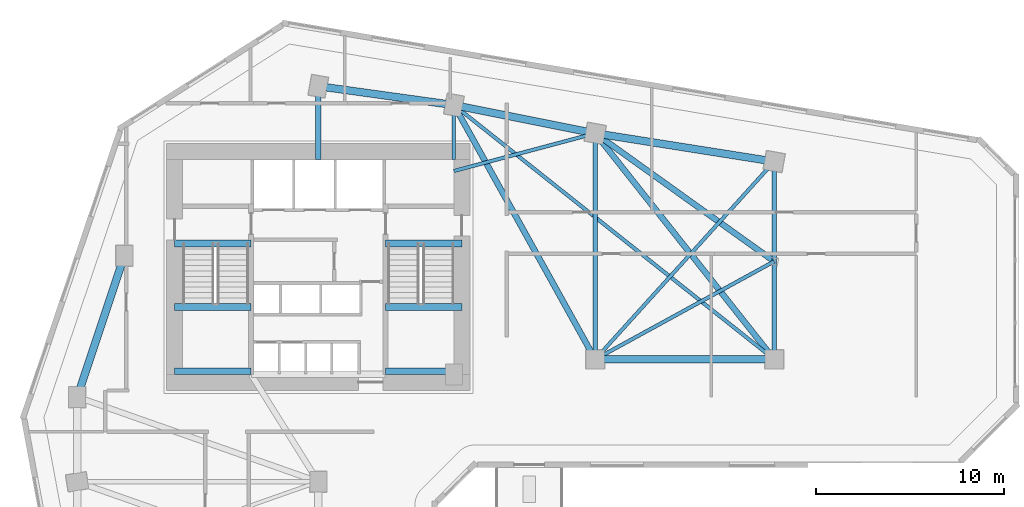
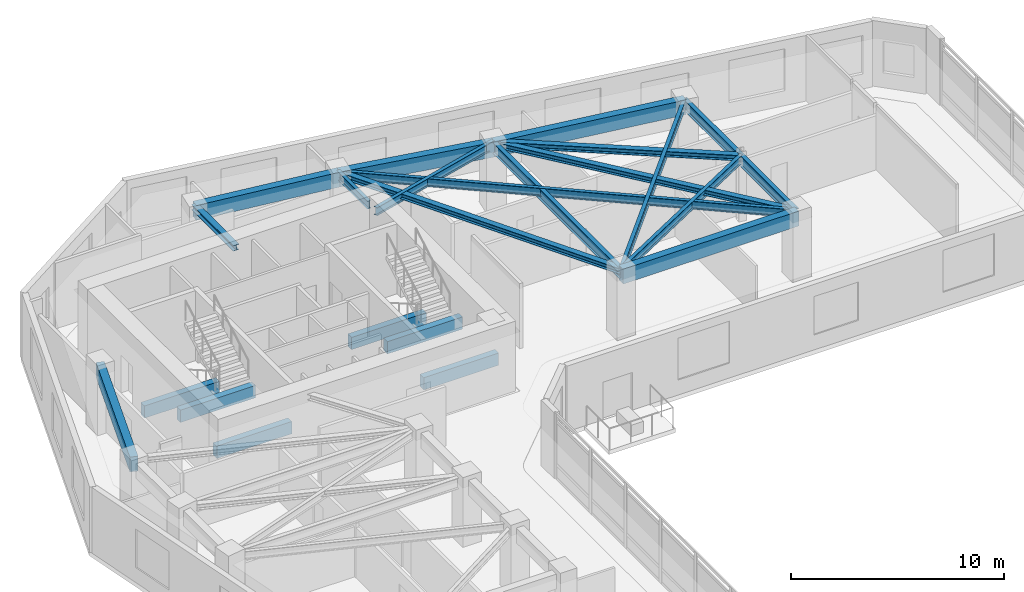
# One storey, part 4 of 11: 22 beams.
"""IFC4 building model written with IfcOpenShell, lengths in metres."""

from ifc_helpers import new_model, si_unit, direction, frame, origin, origin_2d, place, context, subcontext, project, spatial, rectangle, i_section, extrude, source, transform, mapped, material, material_profile, profile_set, type_object, element, save


model = new_model("IFC4")

# Units and contexts
model_context = context("Model", 3, precision=1e-05, world=origin(), true_north=direction((0.0, 1.0)))
body_context = subcontext(model_context, "Body", "Model", "MODEL_VIEW")
ifc_project = project(units=[si_unit("LENGTHUNIT", "METRE"), si_unit("AREAUNIT", "SQUARE_METRE"), si_unit("VOLUMEUNIT", "CUBIC_METRE"), si_unit("PLANEANGLEUNIT", "RADIAN"), si_unit("MASSUNIT", "GRAM", prefix="KILO")], contexts=[model_context])

# Site, building, storey
site_placement = place(None, origin())
site = spatial("IfcSite", under=ifc_project, at=site_placement, CompositionType="ELEMENT")
building_placement = place(site_placement, origin())
building = spatial("IfcBuilding", under=site, at=building_placement, Name="Calvemar Wedge Station Tower", CompositionType="ELEMENT")
storey_placement = place(building_placement, frame((0.0, 0.0, 43.0)))
storey = spatial("IfcBuildingStorey", under=building, at=storey_placement, Name="L10", CompositionType="ELEMENT", Elevation=43.0)

# Beams
ifc_material_1 = material(Name="Concrete C70", Category="concrete")
ifc_material_profile_1 = material_profile(ifc_material_1, rectangle(XDim=0.35009765625, YDim=0.699951171875, at=origin_2d()), Name="RC350x700")
ifc_profile_set_1 = profile_set([ifc_material_profile_1], Name="Concrete C70")
beam_type_1 = type_object("IfcBeamType", Name="BM-LN1-700", PredefinedType="LINTEL", material=ifc_profile_set_1)
shared_shape_1 = source(origin(), body_context, "Body", "SweptSolid", [
    extrude(rectangle(XDim=0.35009765625, YDim=0.699951171875, at=origin_2d()), origin(), (0.0, 0.0, 1.0), 4.054931640625),
])
for number, where, z_axis, x_axis, name in (
    (1, (16.175048828125, 41.14990234375, -0.35009765625), (1.0, 0.0, 0.0), (0.0, 1.0, 0.0), "Storey L10 Stair ST-C1 Landing Trimmer Beam"),
    (2, (27.3701171875, 41.14990234375, -0.35009765625), (1.0, 0.0, 0.0), (0.0, 1.0, 0.0), "Storey L10 Stair ST-C2 Landing Trimmer Beam"),
    (3, (16.175048828125, 34.3798828125, 1.449951171875), (1.0, 0.0, 0.0), (0.0, 1.0, 0.0), "Storey L10 Stair ST-C1 Half-Landing Beam 1A"),
    (4, (16.175048828125, 37.780029296875, 1.449951171875), (1.0, 0.0, 0.0), (0.0, 1.0, 0.0), "Storey L10 Stair ST-C1 Half-Landing Beam 1B"),
    (5, (27.3701171875, 34.3798828125, 1.449951171875), (1.0, 0.0, 0.0), (0.0, 1.0, 0.0), "Storey L10 Stair ST-C2 Half-Landing Beam 1A"),
    (6, (27.3701171875, 37.780029296875, 1.449951171875), (1.0, 0.0, 0.0), (0.0, 1.0, 0.0), "Storey L10 Stair ST-C2 Half-Landing Beam 1B"),
):
    element("IfcBeam", number, at=place(storey_placement, frame(where, z_axis=z_axis, x_axis=x_axis)), inside=storey, type_object=beam_type_1, Name=name, PredefinedType="LINTEL", context=body_context, shape_type="MappedRepresentation", body=[
        mapped(shared_shape_1, transform((0.0, 0.0, 0.0), scale=1.0)),
    ])
ifc_material_2 = material(Name="Concrete C60", Category="concrete")
ifc_material_profile_2 = material_profile(ifc_material_2, rectangle(XDim=0.39990234375, YDim=0.85009765625, at=origin_2d()), Name="RC400x850")
ifc_profile_set_2 = profile_set([ifc_material_profile_2], Name="Concrete C60")
beam_type_2 = type_object("IfcBeamType", Name="BM-SP1-850", PredefinedType="SPANDREL", material=ifc_profile_set_2)
shared_shape_2 = source(origin(), body_context, "Body", "SweptSolid", [
    extrude(rectangle(XDim=0.39990234375, YDim=0.85009765625, at=origin_2d()), origin(), (0.0, 0.0, 1.0), 7.90576171875),
])
beam_1_placement = place(storey_placement, frame((11.0, 33.0, 3.324951171875), z_axis=(0.316227766017, 0.948683298051, 0.0), x_axis=(-0.948683298051, 0.316227766017, 0.0)))
element("IfcBeam", 7, at=beam_1_placement, inside=storey, type_object=beam_type_2, Name="Storey L10 Spandrel T-NW1-T-NW2", PredefinedType="SPANDREL", context=body_context, shape_type="MappedRepresentation", body=[
    mapped(shared_shape_2, transform((0.0, 0.0, 0.0), scale=1.0)),
])
shared_shape_3 = source(origin(), body_context, "Body", "SweptSolid", [
    extrude(rectangle(XDim=0.39990234375, YDim=0.85009765625, at=origin_2d()), origin(), (0.0, 0.0, 1.0), 7.26904296875),
])
beam_2_placement = place(storey_placement, frame((23.800048828125, 49.5, 3.324951171875), z_axis=(0.990492146053, -0.13756928657, 0.0), x_axis=(0.13756928657, 0.990492146053, 0.0)))
element("IfcBeam", 8, at=beam_2_placement, inside=storey, type_object=beam_type_2, Name="Storey L10 Spandrel T-N1-T-N2", PredefinedType="SPANDREL", context=body_context, shape_type="MappedRepresentation", body=[
    mapped(shared_shape_3, transform((0.0, 0.0, 0.0), scale=1.0)),
])
shared_shape_4 = source(origin(), body_context, "Body", "SweptSolid", [
    extrude(rectangle(XDim=0.39990234375, YDim=0.85009765625, at=origin_2d()), origin(), (0.0, 0.0, 1.0), 7.6484375),
])
beam_3_placement = place(storey_placement, frame((31.0, 48.5, 3.324951171875), z_axis=(0.980580675691, -0.196116135138, 0.0), x_axis=(0.196116135138, 0.980580675691, 0.0)))
element("IfcBeam", 9, at=beam_3_placement, inside=storey, type_object=beam_type_2, Name="Storey L10 Spandrel T-N2-T-NU3", PredefinedType="SPANDREL", context=body_context, shape_type="MappedRepresentation", body=[
    mapped(shared_shape_4, transform((0.0, 0.0, 0.0), scale=1.0)),
])
shared_shape_5 = source(origin(), body_context, "Body", "SweptSolid", [
    extrude(rectangle(XDim=0.39990234375, YDim=0.85009765625, at=origin_2d()), origin(), (0.0, 0.0, 1.0), 9.61767578125),
])
beam_4_placement = place(storey_placement, frame((38.5, 47.0, 3.324951171875), z_axis=(0.987762965329, -0.155962573473, 0.0), x_axis=(0.155962573473, 0.987762965329, 0.0)))
element("IfcBeam", 10, at=beam_4_placement, inside=storey, type_object=beam_type_2, Name="Storey L10 Spandrel T-NU3-T-NU4", PredefinedType="SPANDREL", context=body_context, shape_type="MappedRepresentation", body=[
    mapped(shared_shape_5, transform((0.0, 0.0, 0.0), scale=1.0)),
])
shared_shape_6 = source(origin(), body_context, "Body", "SweptSolid", [
    extrude(rectangle(XDim=0.39990234375, YDim=0.85009765625, at=origin_2d()), origin(), (0.0, 0.0, 1.0), 9.5),
])
beam_5_placement = place(storey_placement, frame((38.5, 35.0, 3.324951171875), z_axis=(1.0, 0.0, 0.0), x_axis=(0.0, 1.0, 0.0)))
element("IfcBeam", 11, at=beam_5_placement, inside=storey, type_object=beam_type_2, Name="Storey L10 Spandrel T-NL2-T-NL3", PredefinedType="SPANDREL", context=body_context, shape_type="MappedRepresentation", body=[
    mapped(shared_shape_6, transform((0.0, 0.0, 0.0), scale=1.0)),
])
ifc_material_3 = material(Name="Structural steel ASTM A572 Grade 50", Category="steel")
ifc_material_profile_3 = material_profile(ifc_material_3, i_section(OverallWidth=0.22998046875, OverallDepth=0.616943359375, WebThickness=0.01318359375, FlangeThickness=0.022216796875, FilletRadius=0.012939453125, at=origin_2d()), Name="W610x140")
ifc_profile_set_3 = profile_set([ifc_material_profile_3], Name="Structural steel ASTM A572 Grade 50")
beam_type_3 = type_object("IfcBeamType", Name="BM-SB2-W610", PredefinedType="BEAM", material=ifc_profile_set_3)
shared_shape_7 = source(origin(), body_context, "Body", "SweptSolid", [
    extrude(i_section(OverallWidth=0.22998046875, OverallDepth=0.616943359375, WebThickness=0.01318359375, FlangeThickness=0.022216796875, FilletRadius=0.012939453125, at=origin_2d()), origin(), (0.0, 0.0, 1.0), 12.0),
])
beam_6_placement = place(storey_placement, frame((38.5, 47.0, 3.44140625), z_axis=(0.0, -1.0, 0.0), x_axis=(1.0, 0.0, 0.0)))
element("IfcBeam", 12, at=beam_6_placement, inside=storey, type_object=beam_type_3, Name="Storey L10 Floor Beam T-NU3-T-NL2", PredefinedType="BEAM", context=body_context, shape_type="MappedRepresentation", body=[
    mapped(shared_shape_7, transform((0.0, 0.0, 0.0), scale=1.0)),
])
shared_shape_8 = source(origin(), body_context, "Body", "SweptSolid", [
    extrude(i_section(OverallWidth=0.22998046875, OverallDepth=0.616943359375, WebThickness=0.01318359375, FlangeThickness=0.022216796875, FilletRadius=0.012939453125, at=origin_2d()), origin(), (0.0, 0.0, 1.0), 10.5),
])
beam_7_placement = place(storey_placement, frame((48.0, 45.5, 3.44140625), z_axis=(0.0, -1.0, 0.0), x_axis=(1.0, 0.0, 0.0)))
element("IfcBeam", 13, at=beam_7_placement, inside=storey, type_object=beam_type_3, Name="Storey L10 Floor Beam T-NU4-T-NL3", PredefinedType="BEAM", context=body_context, shape_type="MappedRepresentation", body=[
    mapped(shared_shape_8, transform((0.0, 0.0, 0.0), scale=1.0)),
])
ifc_material_profile_4 = material_profile(ifc_material_3, i_section(OverallWidth=0.30908203125, OverallDepth=0.322998046875, WebThickness=0.013916015625, FlangeThickness=0.02294921875, FilletRadius=0.014892578125, at=origin_2d()), Name="W310x143")
ifc_profile_set_4 = profile_set([ifc_material_profile_4], Name="Structural steel ASTM A572 Grade 50")
beam_type_4 = type_object("IfcBeamType", Name="BM-J5-W310H", PredefinedType="JOIST", material=ifc_profile_set_4)
shared_shape_9 = source(origin(), body_context, "Body", "SweptSolid", [
    extrude(i_section(OverallWidth=0.30908203125, OverallDepth=0.322998046875, WebThickness=0.013916015625, FlangeThickness=0.02294921875, FilletRadius=0.014892578125, at=origin_2d()), origin(), (0.0, 0.0, 1.0), 15.443359375),
])
beam_8_placement = place(storey_placement, frame((31.0, 48.5, 3.58837890625), z_axis=(0.485642931179, -0.874157276122, 0.0), x_axis=(0.874157276122, 0.485642931179, 0.0)))
element("IfcBeam", 14, at=beam_8_placement, inside=storey, type_object=beam_type_4, Name="Storey L10 Floor Beam T-N2-T-NL2", PredefinedType="JOIST", context=body_context, shape_type="MappedRepresentation", body=[
    mapped(shared_shape_9, transform((0.0, 0.0, 0.0), scale=1.0)),
])
ifc_material_profile_5 = material_profile(ifc_material_3, i_section(OverallWidth=0.19189453125, OverallDepth=0.462890625, WebThickness=0.010498046875, FlangeThickness=0.017578125, FilletRadius=0.012939453125, at=origin_2d()), Name="W460x89")
ifc_profile_set_5 = profile_set([ifc_material_profile_5], Name="Structural steel ASTM A572 Grade 50")
beam_type_5 = type_object("IfcBeamType", Name="BM-J1-W460", PredefinedType="JOIST", material=ifc_profile_set_5)
shared_shape_10 = source(origin(), body_context, "Body", "SweptSolid", [
    extrude(i_section(OverallWidth=0.19189453125, OverallDepth=0.462890625, WebThickness=0.010498046875, FlangeThickness=0.017578125, FilletRadius=0.012939453125, at=origin_2d()), origin(), (0.0, 0.0, 1.0), 21.708251953125),
])
beam_9_placement = place(storey_placement, frame((31.0, 48.5, 3.5185546875), z_axis=(0.783110847498, -0.621882143602, 0.0), x_axis=(0.621882143602, 0.783110847498, 0.0)))
element("IfcBeam", 15, at=beam_9_placement, inside=storey, type_object=beam_type_5, Name="Storey L10 Floor Beam T-N2-T-NL3", PredefinedType="JOIST", context=body_context, shape_type="MappedRepresentation", body=[
    mapped(shared_shape_10, transform((0.0, 0.0, 0.0), scale=1.0)),
])
shared_shape_11 = source(origin(), body_context, "Body", "SweptSolid", [
    extrude(i_section(OverallWidth=0.30908203125, OverallDepth=0.322998046875, WebThickness=0.013916015625, FlangeThickness=0.02294921875, FilletRadius=0.014892578125, at=origin_2d()), origin(), (0.0, 0.0, 1.0), 15.30517578125),
])
beam_10_placement = place(storey_placement, frame((38.5, 47.0, 3.58837890625), z_axis=(0.620702944366, -0.784045824462, 0.0), x_axis=(0.784045824462, 0.620702944366, 0.0)))
element("IfcBeam", 16, at=beam_10_placement, inside=storey, type_object=beam_type_4, Name="Storey L10 Floor Beam T-NU3-T-NL3", PredefinedType="JOIST", context=body_context, shape_type="MappedRepresentation", body=[
    mapped(shared_shape_11, transform((0.0, 0.0, 0.0), scale=1.0)),
])
shared_shape_12 = source(origin(), body_context, "Body", "SweptSolid", [
    extrude(i_section(OverallWidth=0.19189453125, OverallDepth=0.462890625, WebThickness=0.010498046875, FlangeThickness=0.017578125, FilletRadius=0.012939453125, at=origin_2d()), origin(), (0.0, 0.0, 1.0), 14.159912109375),
])
beam_11_placement = place(storey_placement, frame((38.5, 35.0, 3.5185546875), z_axis=(0.670913323969, 0.741535779124, 0.0), x_axis=(-0.741535779124, 0.670913323969, 0.0)))
element("IfcBeam", 17, at=beam_11_placement, inside=storey, type_object=beam_type_5, Name="Storey L10 Floor Beam T-NL2-T-NU4", PredefinedType="JOIST", context=body_context, shape_type="MappedRepresentation", body=[
    mapped(shared_shape_12, transform((0.0, 0.0, 0.0), scale=1.0)),
])
shared_shape_13 = source(origin(), body_context, "Body", "SweptSolid", [
    extrude(i_section(OverallWidth=0.30908203125, OverallDepth=0.322998046875, WebThickness=0.013916015625, FlangeThickness=0.02294921875, FilletRadius=0.014892578125, at=origin_2d()), origin(), (0.0, 0.0, 1.0), 11.682861328125),
])
beam_12_placement = place(storey_placement, frame((48.0, 40.199951171875, 3.58837890625), z_axis=(-0.81315274409, 0.582050354161, 0.0), x_axis=(-0.582050354161, -0.81315274409, 0.0)))
element("IfcBeam", 18, at=beam_12_placement, inside=storey, type_object=beam_type_4, Name="Storey L10 Floor Beam T-NTIP-A-T-NU3", PredefinedType="JOIST", context=body_context, shape_type="MappedRepresentation", body=[
    mapped(shared_shape_13, transform((0.0, 0.0, 0.0), scale=1.0)),
])
shared_shape_14 = source(origin(), body_context, "Body", "SweptSolid", [
    extrude(i_section(OverallWidth=0.19189453125, OverallDepth=0.462890625, WebThickness=0.010498046875, FlangeThickness=0.017578125, FilletRadius=0.012939453125, at=origin_2d()), origin(), (0.0, 0.0, 1.0), 10.830078125),
])
beam_13_placement = place(storey_placement, frame((48.0, 40.199951171875, 3.5185546875), z_axis=(-0.877190767997, -0.480142017053, 0.0), x_axis=(0.480142017053, -0.877190767997, 0.0)))
element("IfcBeam", 19, at=beam_13_placement, inside=storey, type_object=beam_type_5, Name="Storey L10 Floor Beam T-NTIP-A-T-NL2", PredefinedType="JOIST", context=body_context, shape_type="MappedRepresentation", body=[
    mapped(shared_shape_14, transform((0.0, 0.0, 0.0), scale=1.0)),
])
shared_shape_15 = source(origin(), body_context, "Body", "SweptSolid", [
    extrude(i_section(OverallWidth=0.19189453125, OverallDepth=0.462890625, WebThickness=0.010498046875, FlangeThickness=0.017578125, FilletRadius=0.012939453125, at=origin_2d()), origin(), (0.0, 0.0, 1.0), 7.76220703125),
])
beam_14_placement = place(storey_placement, frame((31.0, 45.0, 3.5185546875), z_axis=(0.966234939601, 0.25766265056, 0.0), x_axis=(-0.25766265056, 0.966234939601, 0.0)))
element("IfcBeam", 20, at=beam_14_placement, inside=storey, type_object=beam_type_5, Name="Storey L10 Core-to-Column Joist CJ-E2", PredefinedType="JOIST", context=body_context, shape_type="MappedRepresentation", body=[
    mapped(shared_shape_15, transform((0.0, 0.0, 0.0), scale=1.0)),
])
shared_shape_16 = source(origin(), body_context, "Body", "SweptSolid", [
    extrude(i_section(OverallWidth=0.30908203125, OverallDepth=0.322998046875, WebThickness=0.013916015625, FlangeThickness=0.02294921875, FilletRadius=0.014892578125, at=origin_2d()), origin(), (0.0, 0.0, 1.0), 3.89990234375),
])
beam_15_placement = place(storey_placement, frame((23.800048828125, 45.60009765625, 3.58837890625), z_axis=(0.0, 1.0, 0.0), x_axis=(-1.0, 0.0, 0.0)))
element("IfcBeam", 21, at=beam_15_placement, inside=storey, type_object=beam_type_4, Name="Storey L10 Core-to-Column Joist CJ-N1", PredefinedType="JOIST", context=body_context, shape_type="MappedRepresentation", body=[
    mapped(shared_shape_16, transform((0.0, 0.0, 0.0), scale=1.0)),
])
shared_shape_17 = source(origin(), body_context, "Body", "SweptSolid", [
    extrude(i_section(OverallWidth=0.19189453125, OverallDepth=0.462890625, WebThickness=0.010498046875, FlangeThickness=0.017578125, FilletRadius=0.012939453125, at=origin_2d()), origin(), (0.0, 0.0, 1.0), 2.89990234375),
])
beam_16_placement = place(storey_placement, frame((31.0, 45.60009765625, 3.5185546875), z_axis=(0.0, 1.0, 0.0), x_axis=(-1.0, 0.0, 0.0)))
element("IfcBeam", 22, at=beam_16_placement, inside=storey, type_object=beam_type_5, Name="Storey L10 Core-to-Column Joist CJ-N2", PredefinedType="JOIST", context=body_context, shape_type="MappedRepresentation", body=[
    mapped(shared_shape_17, transform((0.0, 0.0, 0.0), scale=1.0)),
])

save(model, "model.ifc")
